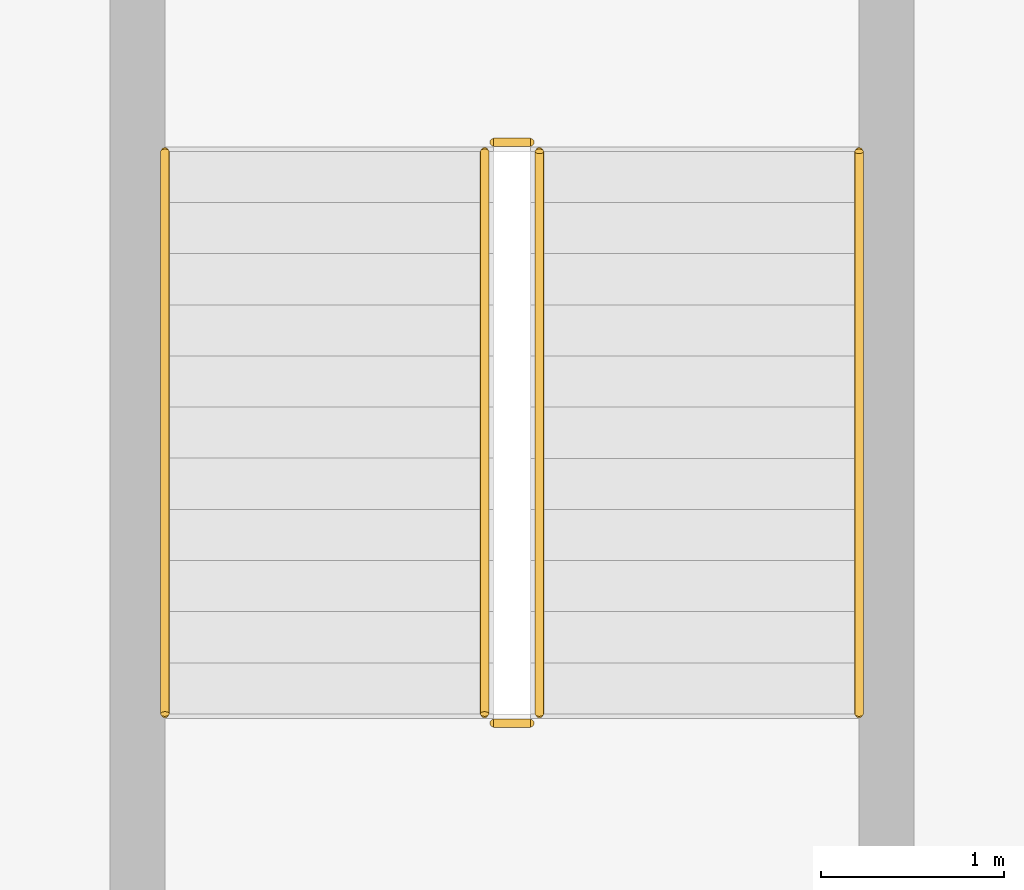
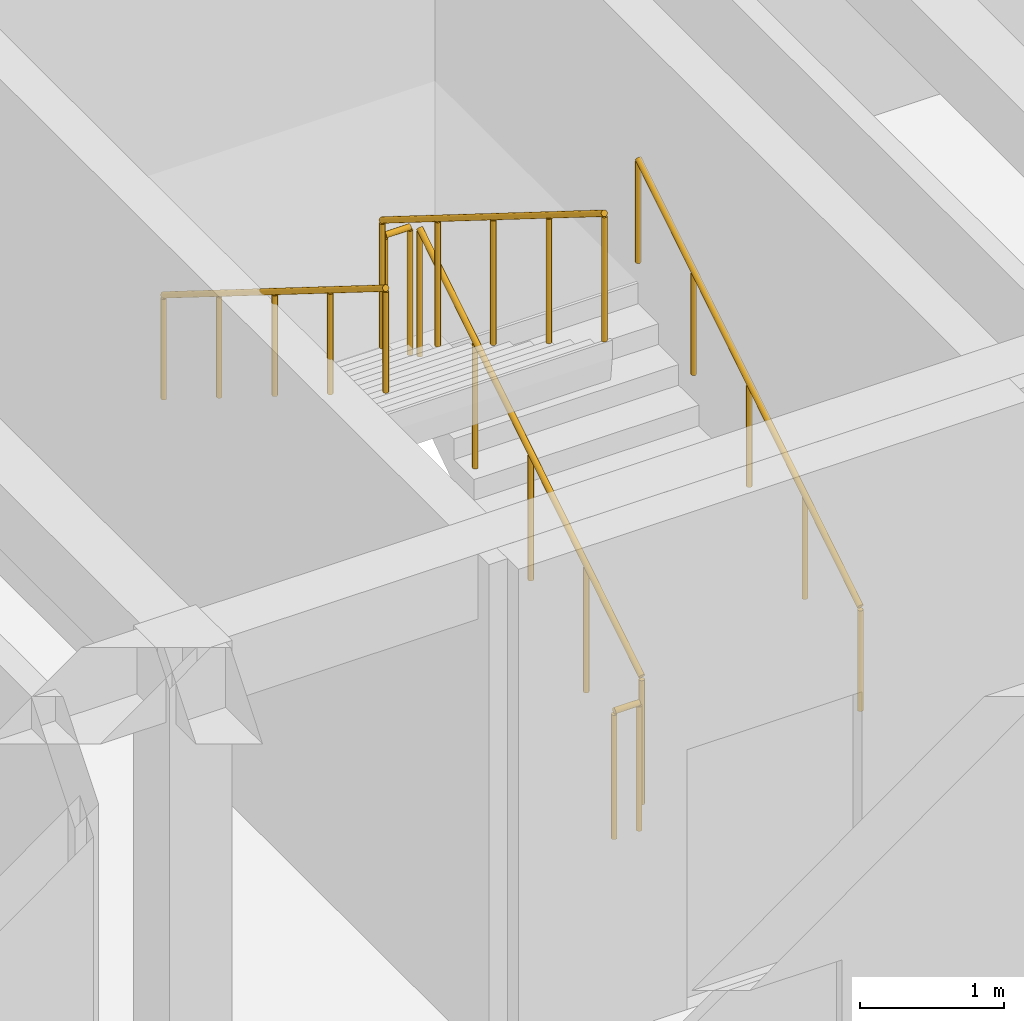
# One storey, part 26 of 26: 6 railings.
"""IFC4 building model written with IfcOpenShell, lengths in metres."""

from ifc_helpers import new_model, si_unit, direction, frame, origin, origin_2d, place, context, subcontext, project, spatial, circle, extrude, material, type_object, element, save


model = new_model("IFC4")

# Units and contexts
model_context = context("Model", 3, precision=1e-05, world=origin(), true_north=direction((0.0, 1.0)))
body_context = subcontext(model_context, "Body", "Model", "MODEL_VIEW")
ifc_project = project(units=[si_unit("LENGTHUNIT", "METRE"), si_unit("AREAUNIT", "SQUARE_METRE"), si_unit("VOLUMEUNIT", "CUBIC_METRE"), si_unit("PLANEANGLEUNIT", "RADIAN"), si_unit("MASSUNIT", "GRAM", prefix="KILO")], contexts=[model_context])

# Site, building, storey
site_placement = place(None, origin())
site = spatial("IfcSite", under=ifc_project, at=site_placement, CompositionType="ELEMENT")
building_placement = place(site_placement, origin())
building = spatial("IfcBuilding", under=site, at=building_placement, Name="Varncliffe General Hospital", CompositionType="ELEMENT")
storey_placement = place(building_placement, frame((0.0, 0.0, 28.800048828125)))
storey = spatial("IfcBuildingStorey", under=building, at=storey_placement, Name="L06", CompositionType="ELEMENT", Elevation=28.800048828125)

# Railings
ifc_material = material(Name="Powder-coated hospital steel guardrail and handrail", Category="steel")
railing_type_1 = type_object("IfcRailingType", Name="Stair and Ramp Handrail HR46", PredefinedType="HANDRAIL", material=ifc_material)
railing_1_placement = place(storey_placement, frame((165.949951171875, 118.0, 0.35400390625)))
element("IfcRailing", 1, at=railing_1_placement, inside=storey, type_object=railing_type_1, Name="L06 ST04 stair handrail 1", PredefinedType="HANDRAIL", context=body_context, shape_type="SweptSolid", body=[
    extrude(circle(Radius=0.02392578125, at=origin_2d()), frame((0.0, 0.0, 0.8759765625), z_axis=(0.0, 0.847998304005, 0.529998940003), x_axis=(-1.0, 0.0, 0.0)), (0.0, 0.0, 1.0), 3.632080078125),
    extrude(circle(Radius=0.02099609375, at=origin_2d()), origin(), (0.0, 0.0, 1.0), 0.851806640625),
    extrude(circle(Radius=0.02099609375, at=origin_2d()), frame((0.0, 0.77001953125, 0.481201171875)), (0.0, 0.0, 1.0), 0.851806640625),
    extrude(circle(Radius=0.02099609375, at=origin_2d()), frame((0.0, 1.5400390625, 0.96240234375)), (0.0, 0.0, 1.0), 0.851806640625),
    extrude(circle(Radius=0.02099609375, at=origin_2d()), frame((0.0, 2.31005859375, 1.44384765625)), (0.0, 0.0, 1.0), 0.851806640625),
    extrude(circle(Radius=0.02099609375, at=origin_2d()), frame((0.0, 3.080078125, 1.925048828125)), (0.0, 0.0, 1.0), 0.851806640625),
])
railing_2_placement = place(storey_placement, frame((162.14990234375, 121.080078125, 2.453857421875)))
element("IfcRailing", 2, at=railing_2_placement, inside=storey, type_object=railing_type_1, Name="L06 ST04 stair handrail 2", PredefinedType="HANDRAIL", context=body_context, shape_type="SweptSolid", body=[
    extrude(circle(Radius=0.02392578125, at=origin_2d()), frame((0.0, 0.0, 0.8759765625), z_axis=(0.0, -0.847998304005, 0.529998940003), x_axis=(1.0, 0.0, 0.0)), (0.0, 0.0, 1.0), 3.632080078125),
    extrude(circle(Radius=0.02099609375, at=origin_2d()), origin(), (0.0, 0.0, 1.0), 0.851806640625),
    extrude(circle(Radius=0.02099609375, at=origin_2d()), frame((0.0, -0.77001953125, 0.481201171875)), (0.0, 0.0, 1.0), 0.851806640625),
    extrude(circle(Radius=0.02099609375, at=origin_2d()), frame((0.0, -1.5400390625, 0.96240234375)), (0.0, 0.0, 1.0), 0.851806640625),
    extrude(circle(Radius=0.02099609375, at=origin_2d()), frame((0.0, -2.31005859375, 1.44384765625)), (0.0, 0.0, 1.0), 0.851806640625),
    extrude(circle(Radius=0.02099609375, at=origin_2d()), frame((0.0, -3.080078125, 1.925048828125)), (0.0, 0.0, 1.0), 0.851806640625),
])
railing_type_2 = type_object("IfcRailingType", Name="Stairwell Guardrail SG49", PredefinedType="GUARDRAIL", material=ifc_material)
railing_3_placement = place(storey_placement, frame((164.199951171875, 118.0, 0.175048828125)))
element("IfcRailing", 3, at=railing_3_placement, inside=storey, type_object=railing_type_2, Name="L06 ST04 stair guard 1", PredefinedType="GUARDRAIL", context=body_context, shape_type="SweptSolid", body=[
    extrude(circle(Radius=0.02392578125, at=origin_2d()), frame((0.0, 0.0, 1.076171875), z_axis=(0.0, 0.848028513186, 0.529950602248), x_axis=(-1.0, 0.0, 0.0)), (0.0, 0.0, 1.0), 3.632080078125),
    extrude(circle(Radius=0.02099609375, at=origin_2d()), origin(), (0.0, 0.0, 1.0), 1.052001953125),
    extrude(circle(Radius=0.02099609375, at=origin_2d()), frame((0.0, 0.77001953125, 0.481201171875)), (0.0, 0.0, 1.0), 1.052001953125),
    extrude(circle(Radius=0.02099609375, at=origin_2d()), frame((0.0, 1.5400390625, 0.96240234375)), (0.0, 0.0, 1.0), 1.052001953125),
    extrude(circle(Radius=0.02099609375, at=origin_2d()), frame((0.0, 2.31005859375, 1.443603515625)), (0.0, 0.0, 1.0), 1.052001953125),
    extrude(circle(Radius=0.02099609375, at=origin_2d()), frame((0.0, 3.080078125, 1.9248046875)), (0.0, 0.0, 1.0), 1.052001953125),
])
railing_4_placement = place(storey_placement, frame((164.14990234375, 121.1298828125, 2.099853515625)))
element("IfcRailing", 4, at=railing_4_placement, inside=storey, type_object=railing_type_2, Name="L06 ST04 stair guard 2", PredefinedType="GUARDRAIL", context=body_context, shape_type="SweptSolid", body=[
    extrude(circle(Radius=0.02392578125, at=origin_2d()), frame((0.0, 0.0, 1.076171875), z_axis=(-1.0, 0.0, 0.0), x_axis=(0.0, -1.0, 0.0)), (0.0, 0.0, 1.0), 0.199951171875),
    extrude(circle(Radius=0.02099609375, at=origin_2d()), origin(), (0.0, 0.0, 1.0), 1.052001953125),
    extrude(circle(Radius=0.02099609375, at=origin_2d()), frame((-0.199951171875, 0.0, 0.0)), (0.0, 0.0, 1.0), 1.052001953125),
])
railing_5_placement = place(storey_placement, frame((163.89990234375, 121.080078125, 2.27490234375)))
element("IfcRailing", 5, at=railing_5_placement, inside=storey, type_object=railing_type_2, Name="L06 ST04 stair guard 3", PredefinedType="GUARDRAIL", context=body_context, shape_type="SweptSolid", body=[
    extrude(circle(Radius=0.02392578125, at=origin_2d()), frame((0.0, 0.0, 1.076171875), z_axis=(0.0, -0.847998304005, 0.529998940003), x_axis=(1.0, 0.0, 0.0)), (0.0, 0.0, 1.0), 3.632080078125),
    extrude(circle(Radius=0.02099609375, at=origin_2d()), origin(), (0.0, 0.0, 1.0), 1.052001953125),
    extrude(circle(Radius=0.02099609375, at=origin_2d()), frame((0.0, -0.77001953125, 0.481201171875)), (0.0, 0.0, 1.0), 1.052001953125),
    extrude(circle(Radius=0.02099609375, at=origin_2d()), frame((0.0, -1.5400390625, 0.96240234375)), (0.0, 0.0, 1.0), 1.052001953125),
    extrude(circle(Radius=0.02099609375, at=origin_2d()), frame((0.0, -2.31005859375, 1.44384765625)), (0.0, 0.0, 1.0), 1.052001953125),
    extrude(circle(Radius=0.02099609375, at=origin_2d()), frame((0.0, -3.080078125, 1.925048828125)), (0.0, 0.0, 1.0), 1.052001953125),
])
railing_6_placement = place(storey_placement, frame((164.14990234375, 117.949951171875, 0.0)))
element("IfcRailing", 6, at=railing_6_placement, inside=storey, type_object=railing_type_2, Name="L06 ST04 stair guard 4", PredefinedType="GUARDRAIL", context=body_context, shape_type="SweptSolid", body=[
    extrude(circle(Radius=0.02392578125, at=origin_2d()), frame((0.0, 0.0, 1.076171875), z_axis=(-1.0, 0.0, 0.0), x_axis=(0.0, -1.0, 0.0)), (0.0, 0.0, 1.0), 0.199951171875),
    extrude(circle(Radius=0.02099609375, at=origin_2d()), origin(), (0.0, 0.0, 1.0), 1.052001953125),
    extrude(circle(Radius=0.02099609375, at=origin_2d()), frame((-0.199951171875, 0.0, 0.0)), (0.0, 0.0, 1.0), 1.052001953125),
])

save(model, "model.ifc")
